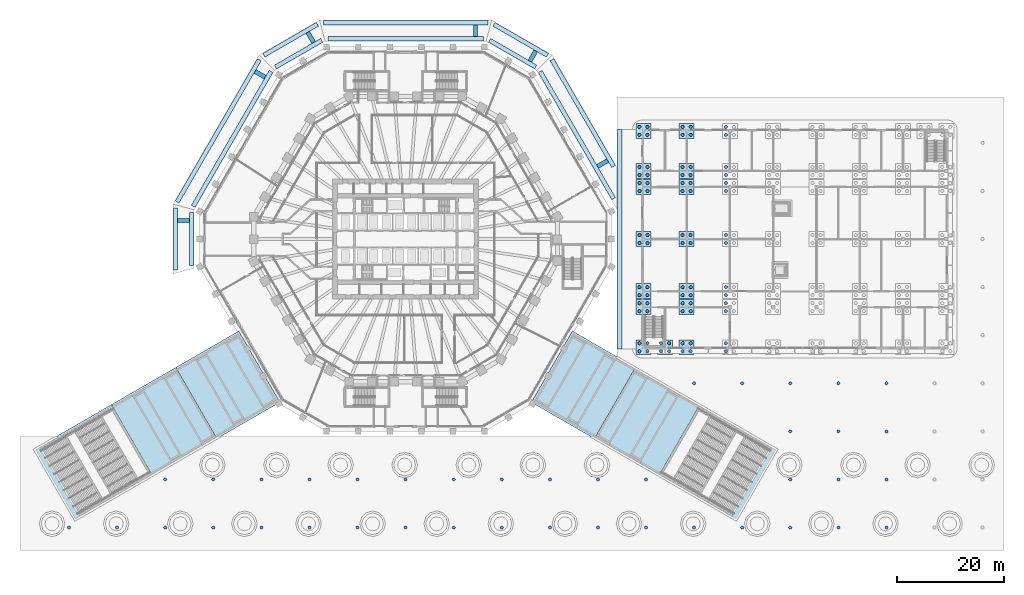
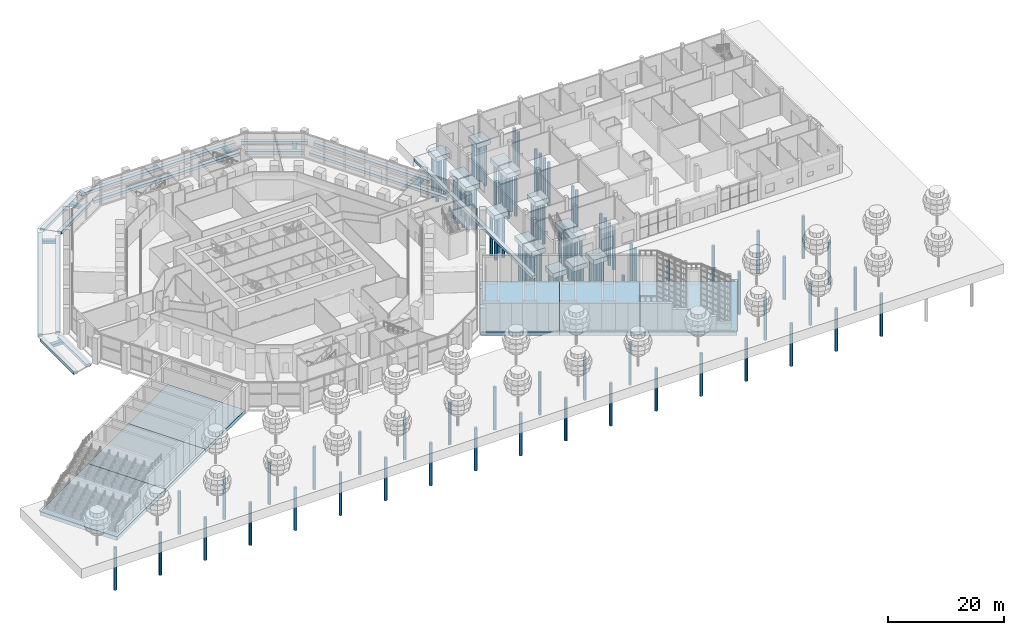
# One storey, part 1 of 44: 114 piles, 40 footings.
"""IFC4 building model written with IfcOpenShell, lengths in metres."""

from ifc_helpers import new_model, si_unit, direction, frame, origin, origin_2d, place, context, subcontext, project, spatial, rectangle, circle, extrude, material, material_profile, profile_set, type_object, element, save


model = new_model("IFC4")

# Units and contexts
model_context = context("Model", 3, precision=1e-05, world=origin(), true_north=direction((0.0, 1.0)))
body_context = subcontext(model_context, "Body", "Model", "MODEL_VIEW")
ifc_project = project(units=[si_unit("LENGTHUNIT", "METRE"), si_unit("AREAUNIT", "SQUARE_METRE"), si_unit("VOLUMEUNIT", "CUBIC_METRE"), si_unit("PLANEANGLEUNIT", "RADIAN"), si_unit("MASSUNIT", "GRAM", prefix="KILO")], contexts=[model_context])

# Site, building, storey
site_placement = place(None, origin())
site = spatial("IfcSite", under=ifc_project, at=site_placement, CompositionType="ELEMENT")
building_placement = place(site_placement, origin())
building = spatial("IfcBuilding", under=site, at=building_placement, Name="Frailejon Research Tower", CompositionType="ELEMENT")
storey_placement = place(building_placement, origin())
storey = spatial("IfcBuildingStorey", under=building, at=storey_placement, Name="L00", CompositionType="ELEMENT", Elevation=0.0)

# Piles
ifc_material_1 = material(Name="Concrete C35/45", Category="concrete")
ifc_material_profile = material_profile(ifc_material_1, circle(Radius=0.300048828125, at=origin_2d()), Name="Bored pile D600")
ifc_profile_set = profile_set([ifc_material_profile], Name="Concrete C35/45")
pile_type = type_object("IfcPileType", Name="Bored pile D600", PredefinedType="BORED", material=ifc_profile_set)
for number, where, z_axis, x_axis, name in (
    (1, (43.75, -21.0, -1.10009765625), (0.0, 0.0, -1.0), (1.0, 0.0, 0.0), "HC pile A1"),
    (2, (43.75, -19.5, -1.10009765625), (0.0, 0.0, -1.0), (1.0, 0.0, 0.0), "HC pile A1"),
    (3, (45.25, -21.0, -1.10009765625), (0.0, 0.0, -1.0), (1.0, 0.0, 0.0), "HC pile A1"),
    (4, (45.25, -19.5, -1.10009765625), (0.0, 0.0, -1.0), (1.0, 0.0, 0.0), "HC pile A1"),
    (5, (51.85009765625, -21.0, -1.10009765625), (0.0, 0.0, -1.0), (1.0, 0.0, 0.0), "HC pile A2"),
    (6, (51.85009765625, -19.5, -1.10009765625), (0.0, 0.0, -1.0), (1.0, 0.0, 0.0), "HC pile A2"),
    (7, (53.35009765625, -21.0, -1.10009765625), (0.0, 0.0, -1.0), (1.0, 0.0, 0.0), "HC pile A2"),
    (8, (53.35009765625, -19.5, -1.10009765625), (0.0, 0.0, -1.0), (1.0, 0.0, 0.0), "HC pile A2"),
    (9, (59.949951171875, -21.0, -1.10009765625), (0.0, 0.0, -1.0), (1.0, 0.0, 0.0), "HC pile A3"),
    (10, (59.949951171875, -19.5, -1.10009765625), (0.0, 0.0, -1.0), (1.0, 0.0, 0.0), "HC pile A3"),
    (11, (43.75, -13.5, -1.10009765625), (0.0, 0.0, -1.0), (1.0, 0.0, 0.0), "HC pile B1"),
    (12, (43.75, -12.0, -1.10009765625), (0.0, 0.0, -1.0), (1.0, 0.0, 0.0), "HC pile B1"),
    (13, (45.25, -13.5, -1.10009765625), (0.0, 0.0, -1.0), (1.0, 0.0, 0.0), "HC pile B1"),
    (14, (45.25, -12.0, -1.10009765625), (0.0, 0.0, -1.0), (1.0, 0.0, 0.0), "HC pile B1"),
    (15, (51.85009765625, -13.5, -1.10009765625), (0.0, 0.0, -1.0), (1.0, 0.0, 0.0), "HC pile B2"),
    (16, (51.85009765625, -12.0, -1.10009765625), (0.0, 0.0, -1.0), (1.0, 0.0, 0.0), "HC pile B2"),
    (17, (53.35009765625, -13.5, -1.10009765625), (0.0, 0.0, -1.0), (1.0, 0.0, 0.0), "HC pile B2"),
    (18, (53.35009765625, -12.0, -1.10009765625), (0.0, 0.0, -1.0), (1.0, 0.0, 0.0), "HC pile B2"),
    (19, (59.949951171875, -13.5, -1.10009765625), (0.0, 0.0, -1.0), (1.0, 0.0, 0.0), "HC pile B3"),
    (20, (59.949951171875, -12.0, -1.10009765625), (0.0, 0.0, -1.0), (1.0, 0.0, 0.0), "HC pile B3"),
    (21, (43.75, -10.5, -1.10009765625), (0.0, 0.0, -1.0), (1.0, 0.0, 0.0), "HC pile C1"),
    (22, (43.75, -9.0, -1.10009765625), (0.0, 0.0, -1.0), (1.0, 0.0, 0.0), "HC pile C1"),
    (23, (45.25, -10.5, -1.10009765625), (0.0, 0.0, -1.0), (1.0, 0.0, 0.0), "HC pile C1"),
    (24, (45.25, -9.0, -1.10009765625), (0.0, 0.0, -1.0), (1.0, 0.0, 0.0), "HC pile C1"),
    (25, (51.85009765625, -10.5, -1.10009765625), (0.0, 0.0, -1.0), (1.0, 0.0, 0.0), "HC pile C2"),
    (26, (51.85009765625, -9.0, -1.10009765625), (0.0, 0.0, -1.0), (1.0, 0.0, 0.0), "HC pile C2"),
    (27, (53.35009765625, -10.5, -1.10009765625), (0.0, 0.0, -1.0), (1.0, 0.0, 0.0), "HC pile C2"),
    (28, (53.35009765625, -9.0, -1.10009765625), (0.0, 0.0, -1.0), (1.0, 0.0, 0.0), "HC pile C2"),
    (29, (59.949951171875, -10.5, -1.10009765625), (0.0, 0.0, -1.0), (1.0, 0.0, 0.0), "HC pile C3"),
    (30, (59.949951171875, -9.0, -1.10009765625), (0.0, 0.0, -1.0), (1.0, 0.0, 0.0), "HC pile C3"),
    (31, (43.75, -0.75, -1.10009765625), (0.0, 0.0, -1.0), (1.0, 0.0, 0.0), "HC pile D1"),
    (32, (43.75, 0.75, -1.10009765625), (0.0, 0.0, -1.0), (1.0, 0.0, 0.0), "HC pile D1"),
    (33, (45.25, -0.75, -1.10009765625), (0.0, 0.0, -1.0), (1.0, 0.0, 0.0), "HC pile D1"),
    (34, (45.25, 0.75, -1.10009765625), (0.0, 0.0, -1.0), (1.0, 0.0, 0.0), "HC pile D1"),
    (35, (51.85009765625, -0.75, -1.10009765625), (0.0, 0.0, -1.0), (1.0, 0.0, 0.0), "HC pile D2"),
    (36, (51.85009765625, 0.75, -1.10009765625), (0.0, 0.0, -1.0), (1.0, 0.0, 0.0), "HC pile D2"),
    (37, (53.35009765625, -0.75, -1.10009765625), (0.0, 0.0, -1.0), (1.0, 0.0, 0.0), "HC pile D2"),
    (38, (53.35009765625, 0.75, -1.10009765625), (0.0, 0.0, -1.0), (1.0, 0.0, 0.0), "HC pile D2"),
    (39, (59.949951171875, -0.75, -1.10009765625), (0.0, 0.0, -1.0), (1.0, 0.0, 0.0), "HC pile D3"),
    (40, (59.949951171875, 0.75, -1.10009765625), (0.0, 0.0, -1.0), (1.0, 0.0, 0.0), "HC pile D3"),
    (41, (43.75, 9.0, -1.10009765625), (0.0, 0.0, -1.0), (1.0, 0.0, 0.0), "HC pile E1"),
    (42, (43.75, 10.5, -1.10009765625), (0.0, 0.0, -1.0), (1.0, 0.0, 0.0), "HC pile E1"),
    (43, (45.25, 9.0, -1.10009765625), (0.0, 0.0, -1.0), (1.0, 0.0, 0.0), "HC pile E1"),
    (44, (45.25, 10.5, -1.10009765625), (0.0, 0.0, -1.0), (1.0, 0.0, 0.0), "HC pile E1"),
    (45, (51.85009765625, 9.0, -1.10009765625), (0.0, 0.0, -1.0), (1.0, 0.0, 0.0), "HC pile E2"),
    (46, (51.85009765625, 10.5, -1.10009765625), (0.0, 0.0, -1.0), (1.0, 0.0, 0.0), "HC pile E2"),
    (47, (53.35009765625, 9.0, -1.10009765625), (0.0, 0.0, -1.0), (1.0, 0.0, 0.0), "HC pile E2"),
    (48, (53.35009765625, 10.5, -1.10009765625), (0.0, 0.0, -1.0), (1.0, 0.0, 0.0), "HC pile E2"),
    (49, (59.949951171875, 9.0, -1.10009765625), (0.0, 0.0, -1.0), (1.0, 0.0, 0.0), "HC pile E3"),
    (50, (59.949951171875, 10.5, -1.10009765625), (0.0, 0.0, -1.0), (1.0, 0.0, 0.0), "HC pile E3"),
    (51, (43.75, 12.0, -1.10009765625), (0.0, 0.0, -1.0), (1.0, 0.0, 0.0), "HC pile F1"),
    (52, (43.75, 13.5, -1.10009765625), (0.0, 0.0, -1.0), (1.0, 0.0, 0.0), "HC pile F1"),
    (53, (45.25, 12.0, -1.10009765625), (0.0, 0.0, -1.0), (1.0, 0.0, 0.0), "HC pile F1"),
    (54, (45.25, 13.5, -1.10009765625), (0.0, 0.0, -1.0), (1.0, 0.0, 0.0), "HC pile F1"),
    (55, (51.85009765625, 12.0, -1.10009765625), (0.0, 0.0, -1.0), (1.0, 0.0, 0.0), "HC pile F2"),
    (56, (51.85009765625, 13.5, -1.10009765625), (0.0, 0.0, -1.0), (1.0, 0.0, 0.0), "HC pile F2"),
    (57, (53.35009765625, 12.0, -1.10009765625), (0.0, 0.0, -1.0), (1.0, 0.0, 0.0), "HC pile F2"),
    (58, (53.35009765625, 13.5, -1.10009765625), (0.0, 0.0, -1.0), (1.0, 0.0, 0.0), "HC pile F2"),
    (59, (59.949951171875, 12.0, -1.10009765625), (0.0, 0.0, -1.0), (1.0, 0.0, 0.0), "HC pile F3"),
    (60, (59.949951171875, 13.5, -1.10009765625), (0.0, 0.0, -1.0), (1.0, 0.0, 0.0), "HC pile F3"),
    (61, (43.75, 19.5, -1.10009765625), (0.0, 0.0, -1.0), (1.0, 0.0, 0.0), "HC pile G1"),
    (62, (43.75, 21.0, -1.10009765625), (0.0, 0.0, -1.0), (1.0, 0.0, 0.0), "HC pile G1"),
    (63, (45.25, 19.5, -1.10009765625), (0.0, 0.0, -1.0), (1.0, 0.0, 0.0), "HC pile G1"),
    (64, (45.25, 21.0, -1.10009765625), (0.0, 0.0, -1.0), (1.0, 0.0, 0.0), "HC pile G1"),
    (65, (51.85009765625, 19.5, -1.10009765625), (0.0, 0.0, -1.0), (1.0, 0.0, 0.0), "HC pile G2"),
    (66, (51.85009765625, 21.0, -1.10009765625), (0.0, 0.0, -1.0), (1.0, 0.0, 0.0), "HC pile G2"),
    (67, (53.35009765625, 19.5, -1.10009765625), (0.0, 0.0, -1.0), (1.0, 0.0, 0.0), "HC pile G2"),
    (68, (53.35009765625, 21.0, -1.10009765625), (0.0, 0.0, -1.0), (1.0, 0.0, 0.0), "HC pile G2"),
    (69, (59.949951171875, 19.5, -1.10009765625), (0.0, 0.0, -1.0), (1.0, 0.0, 0.0), "HC pile G3"),
    (70, (59.949951171875, 21.0, -1.10009765625), (0.0, 0.0, -1.0), (1.0, 0.0, 0.0), "HC pile G3"),
    (71, (47.800048828125, -21.0, -1.10009765625), (0.0, 0.0, -1.0), (1.0, 0.0, 0.0), "HC pile SA"),
    (72, (47.800048828125, -19.5, -1.10009765625), (0.0, 0.0, -1.0), (1.0, 0.0, 0.0), "HC pile SA"),
    (73, (49.300048828125, -21.0, -1.10009765625), (0.0, 0.0, -1.0), (1.0, 0.0, 0.0), "HC pile SA"),
    (74, (49.300048828125, -19.5, -1.10009765625), (0.0, 0.0, -1.0), (1.0, 0.0, 0.0), "HC pile SA"),
    (75, (-63.0, -54.0, -1.10009765625), (0.0, 0.0, -1.0), (1.0, 0.0, 0.0), "Plaza raft pile"),
    (76, (-54.0, -54.0, -1.10009765625), (0.0, 0.0, -1.0), (1.0, 0.0, 0.0), "Plaza raft pile"),
    (77, (-45.0, -54.0, -1.10009765625), (0.0, 0.0, -1.0), (1.0, 0.0, 0.0), "Plaza raft pile"),
    (78, (-45.0, -45.0, -1.10009765625), (0.0, 0.0, -1.0), (1.0, 0.0, 0.0), "Plaza raft pile"),
    (79, (-36.0, -54.0, -1.10009765625), (0.0, 0.0, -1.0), (1.0, 0.0, 0.0), "Plaza raft pile"),
    (80, (-36.0, -45.0, -1.10009765625), (0.0, 0.0, -1.0), (1.0, 0.0, 0.0), "Plaza raft pile"),
    (81, (-27.0, -54.0, -1.10009765625), (0.0, 0.0, -1.0), (1.0, 0.0, 0.0), "Plaza raft pile"),
    (82, (-27.0, -45.0, -1.10009765625), (0.0, 0.0, -1.0), (1.0, 0.0, 0.0), "Plaza raft pile"),
    (83, (-18.0, -54.0, -1.10009765625), (0.0, 0.0, -1.0), (1.0, 0.0, 0.0), "Plaza raft pile"),
    (84, (-18.0, -45.0, -1.10009765625), (0.0, 0.0, -1.0), (1.0, 0.0, 0.0), "Plaza raft pile"),
    (85, (-9.0, -54.0, -1.10009765625), (0.0, 0.0, -1.0), (1.0, 0.0, 0.0), "Plaza raft pile"),
    (86, (-9.0, -45.0, -1.10009765625), (0.0, 0.0, -1.0), (1.0, 0.0, 0.0), "Plaza raft pile"),
    (87, (0.0, -54.0, -1.10009765625), (0.0, 0.0, -1.0), (1.0, 0.0, 0.0), "Plaza raft pile"),
    (88, (0.0, -45.0, -1.10009765625), (0.0, 0.0, -1.0), (1.0, 0.0, 0.0), "Plaza raft pile"),
    (89, (9.0, -54.0, -1.10009765625), (0.0, 0.0, -1.0), (1.0, 0.0, 0.0), "Plaza raft pile"),
    (90, (9.0, -45.0, -1.10009765625), (0.0, 0.0, -1.0), (1.0, 0.0, 0.0), "Plaza raft pile"),
    (91, (18.0, -54.0, -1.10009765625), (0.0, 0.0, -1.0), (1.0, 0.0, 0.0), "Plaza raft pile"),
    (92, (18.0, -45.0, -1.10009765625), (0.0, 0.0, -1.0), (1.0, 0.0, 0.0), "Plaza raft pile"),
    (93, (27.0, -54.0, -1.10009765625), (0.0, 0.0, -1.0), (1.0, 0.0, 0.0), "Plaza raft pile"),
    (94, (27.0, -45.0, -1.10009765625), (0.0, 0.0, -1.0), (1.0, 0.0, 0.0), "Plaza raft pile"),
    (95, (36.0, -54.0, -1.10009765625), (0.0, 0.0, -1.0), (1.0, 0.0, 0.0), "Plaza raft pile"),
    (96, (36.0, -45.0, -1.10009765625), (0.0, 0.0, -1.0), (1.0, 0.0, 0.0), "Plaza raft pile"),
    (97, (45.0, -54.0, -1.10009765625), (0.0, 0.0, -1.0), (1.0, 0.0, 0.0), "Plaza raft pile"),
    (98, (45.0, -45.0, -1.10009765625), (0.0, 0.0, -1.0), (1.0, 0.0, 0.0), "Plaza raft pile"),
    (99, (54.0, -54.0, -1.10009765625), (0.0, 0.0, -1.0), (1.0, 0.0, 0.0), "Plaza raft pile"),
    (100, (54.0, -27.0, -1.10009765625), (0.0, 0.0, -1.0), (1.0, 0.0, 0.0), "Plaza raft pile"),
    (101, (63.0, -54.0, -1.10009765625), (0.0, 0.0, -1.0), (1.0, 0.0, 0.0), "Plaza raft pile"),
    (102, (63.0, -27.0, -1.10009765625), (0.0, 0.0, -1.0), (1.0, 0.0, 0.0), "Plaza raft pile"),
    (103, (72.0, -54.0, -1.10009765625), (0.0, 0.0, -1.0), (1.0, 0.0, 0.0), "Plaza raft pile"),
    (104, (72.0, -45.0, -1.10009765625), (0.0, 0.0, -1.0), (1.0, 0.0, 0.0), "Plaza raft pile"),
    (105, (72.0, -36.0, -1.10009765625), (0.0, 0.0, -1.0), (1.0, 0.0, 0.0), "Plaza raft pile"),
    (106, (72.0, -27.0, -1.10009765625), (0.0, 0.0, -1.0), (1.0, 0.0, 0.0), "Plaza raft pile"),
    (107, (81.0, -54.0, -1.10009765625), (0.0, 0.0, -1.0), (1.0, 0.0, 0.0), "Plaza raft pile"),
    (108, (81.0, -45.0, -1.10009765625), (0.0, 0.0, -1.0), (1.0, 0.0, 0.0), "Plaza raft pile"),
    (109, (81.0, -36.0, -1.10009765625), (0.0, 0.0, -1.0), (1.0, 0.0, 0.0), "Plaza raft pile"),
    (110, (81.0, -27.0, -1.10009765625), (0.0, 0.0, -1.0), (1.0, 0.0, 0.0), "Plaza raft pile"),
    (111, (90.0, -54.0, -1.10009765625), (0.0, 0.0, -1.0), (1.0, 0.0, 0.0), "Plaza raft pile"),
    (112, (90.0, -45.0, -1.10009765625), (0.0, 0.0, -1.0), (1.0, 0.0, 0.0), "Plaza raft pile"),
    (113, (90.0, -36.0, -1.10009765625), (0.0, 0.0, -1.0), (1.0, 0.0, 0.0), "Plaza raft pile"),
    (114, (90.0, -27.0, -1.10009765625), (0.0, 0.0, -1.0), (1.0, 0.0, 0.0), "Plaza raft pile"),
):
    element("IfcPile", number, at=place(storey_placement, frame(where, z_axis=z_axis, x_axis=x_axis)), inside=storey, type_object=pile_type, Name=name, PredefinedType="BORED", context=body_context, shape_type="SweptSolid", body=[
        extrude(circle(Radius=0.300048828125, at=origin_2d()), origin(), (0.0, 0.0, 1.0), 9.0),
    ])

# Footings
ifc_material_2 = material(Name="Concrete C35/45", Category="concrete")
footing_type_1 = type_object("IfcFootingType", Name="Court edge strip footing", PredefinedType="STRIP_FOOTING", material=ifc_material_2)
footing_1_placement = place(storey_placement, frame((40.069091796875, 0.0, -0.85009765625), z_axis=(0.0, 0.0, 1.0), x_axis=(1.0, 0.0, 0.0)))
element("IfcFooting", 115, at=footing_1_placement, inside=storey, type_object=footing_type_1, Name="Movement joint court edge footing", PredefinedType="STRIP_FOOTING", context=body_context, shape_type="SweptSolid", body=[
    extrude(rectangle(XDim=0.800048828125, YDim=41.10009765625, at=origin_2d()), origin(), (0.0, 0.0, 1.0), 0.60009765625),
])
ifc_material_3 = material(Name="Concrete C35/45", Category="concrete")
footing_type_2 = type_object("IfcFootingType", Name="HC pile cap 2800x2800x1000", PredefinedType="PILE_CAP", material=ifc_material_3)
for number, where, z_axis, x_axis, name in (
    (116, (44.5, -20.25, -1.25), (0.0, 0.0, 1.0), (1.0, 0.0, 0.0), "HC pile cap A1"),
    (117, (52.60009765625, -20.25, -1.25), (0.0, 0.0, 1.0), (1.0, 0.0, 0.0), "HC pile cap A2"),
    (118, (44.5, -12.75, -1.25), (0.0, 0.0, 1.0), (1.0, 0.0, 0.0), "HC pile cap B1"),
    (119, (52.60009765625, -12.75, -1.25), (0.0, 0.0, 1.0), (1.0, 0.0, 0.0), "HC pile cap B2"),
    (120, (44.5, -9.75, -1.25), (0.0, 0.0, 1.0), (1.0, 0.0, 0.0), "HC pile cap C1"),
    (121, (52.60009765625, -9.75, -1.25), (0.0, 0.0, 1.0), (1.0, 0.0, 0.0), "HC pile cap C2"),
    (122, (44.5, 0.0, -1.25), (0.0, 0.0, 1.0), (1.0, 0.0, 0.0), "HC pile cap D1"),
    (123, (52.60009765625, 0.0, -1.25), (0.0, 0.0, 1.0), (1.0, 0.0, 0.0), "HC pile cap D2"),
    (124, (44.5, 9.75, -1.25), (0.0, 0.0, 1.0), (1.0, 0.0, 0.0), "HC pile cap E1"),
    (125, (52.60009765625, 9.75, -1.25), (0.0, 0.0, 1.0), (1.0, 0.0, 0.0), "HC pile cap E2"),
    (126, (44.5, 12.75, -1.25), (0.0, 0.0, 1.0), (1.0, 0.0, 0.0), "HC pile cap F1"),
    (127, (52.60009765625, 12.75, -1.25), (0.0, 0.0, 1.0), (1.0, 0.0, 0.0), "HC pile cap F2"),
    (128, (44.5, 20.25, -1.25), (0.0, 0.0, 1.0), (1.0, 0.0, 0.0), "HC pile cap G1"),
    (129, (52.60009765625, 20.25, -1.25), (0.0, 0.0, 1.0), (1.0, 0.0, 0.0), "HC pile cap G2"),
    (130, (48.550048828125, -20.25, -1.25), (0.0, 0.0, 1.0), (1.0, 0.0, 0.0), "HC stair pile cap SA"),
):
    element("IfcFooting", number, at=place(storey_placement, frame(where, z_axis=z_axis, x_axis=x_axis)), inside=storey, type_object=footing_type_2, Name=name, PredefinedType="PILE_CAP", context=body_context, shape_type="SweptSolid", body=[
        extrude(rectangle(XDim=2.800048828125, YDim=2.800048828125, at=origin_2d()), origin(), (0.0, 0.0, 1.0), 1.0),
    ])
ifc_material_4 = material(Name="Concrete C35/45", Category="concrete")
footing_type_3 = type_object("IfcFootingType", Name="Plaza walk strip footing", PredefinedType="STRIP_FOOTING", material=ifc_material_4)
footing_2_placement = place(storey_placement, frame((32.055419921875, 19.478271484375, -0.85009765625), z_axis=(0.0, 0.0, 1.0), x_axis=(0.866025403784, 0.5, 0.0)))
element("IfcFooting", 131, at=footing_2_placement, inside=storey, type_object=footing_type_3, Name="Plaza walk footing", PredefinedType="STRIP_FOOTING", context=body_context, shape_type="SweptSolid", body=[
    extrude(rectangle(XDim=0.800048828125, YDim=27.4697265625, at=origin_2d()), origin(), (0.0, 0.0, 1.0), 0.60009765625),
])
footing_3_placement = place(storey_placement, frame((33.153564453125, 23.576416015625, -0.85009765625), z_axis=(0.0, 0.0, 1.0), x_axis=(0.866025403784, 0.5, 0.0)))
element("IfcFooting", 132, at=footing_3_placement, inside=storey, type_object=footing_type_3, Name="Plaza walk footing", PredefinedType="STRIP_FOOTING", context=body_context, shape_type="SweptSolid", body=[
    extrude(rectangle(XDim=0.800048828125, YDim=23.077392578125, at=origin_2d()), origin(), (0.0, 0.0, 1.0), 0.60009765625),
])
footing_4_placement = place(storey_placement, frame((36.873779296875, 14.132568359375, -0.85009765625), z_axis=(0.0, 0.0, 1.0), x_axis=(0.5, -0.866025403784, 0.0)))
element("IfcFooting", 133, at=footing_4_placement, inside=storey, type_object=footing_type_3, Name="Plaza walk footing", PredefinedType="STRIP_FOOTING", context=body_context, shape_type="SweptSolid", body=[
    extrude(rectangle(XDim=0.800048828125, YDim=2.199951171875, at=origin_2d()), origin(), (0.0, 0.0, 1.0), 0.60009765625),
])
footing_5_placement = place(storey_placement, frame((20.03466796875, 34.700927734375, -0.85009765625), z_axis=(0.0, 0.0, 1.0), x_axis=(0.5, 0.866025403784, 0.0)))
element("IfcFooting", 134, at=footing_5_placement, inside=storey, type_object=footing_type_3, Name="Plaza walk footing", PredefinedType="STRIP_FOOTING", context=body_context, shape_type="SweptSolid", body=[
    extrude(rectangle(XDim=0.800048828125, YDim=9.974853515625, at=origin_2d()), origin(), (0.0, 0.0, 1.0), 0.60009765625),
])
footing_6_placement = place(storey_placement, frame((21.53466796875, 37.299072265625, -0.85009765625), z_axis=(0.0, 0.0, 1.0), x_axis=(0.5, 0.866025403784, 0.0)))
element("IfcFooting", 135, at=footing_6_placement, inside=storey, type_object=footing_type_3, Name="Plaza walk footing", PredefinedType="STRIP_FOOTING", context=body_context, shape_type="SweptSolid", body=[
    extrude(rectangle(XDim=0.800048828125, YDim=11.58251953125, at=origin_2d()), origin(), (0.0, 0.0, 1.0), 0.60009765625),
])
footing_7_placement = place(storey_placement, frame((23.8046875, 34.25634765625, -0.85009765625), z_axis=(0.0, 0.0, 1.0), x_axis=(0.866025403784, -0.5, 0.0)))
element("IfcFooting", 136, at=footing_7_placement, inside=storey, type_object=footing_type_3, Name="Plaza walk footing", PredefinedType="STRIP_FOOTING", context=body_context, shape_type="SweptSolid", body=[
    extrude(rectangle(XDim=0.800048828125, YDim=2.199951171875, at=origin_2d()), origin(), (0.0, 0.0, 1.0), 0.60009765625),
])
footing_8_placement = place(storey_placement, frame((0.0, 37.5, -0.85009765625), z_axis=(0.0, 0.0, 1.0), x_axis=(0.0, 1.0, 0.0)))
element("IfcFooting", 137, at=footing_8_placement, inside=storey, type_object=footing_type_3, Name="Plaza walk footing", PredefinedType="STRIP_FOOTING", context=body_context, shape_type="SweptSolid", body=[
    extrude(rectangle(XDim=0.800048828125, YDim=29.15185546875, at=origin_2d()), origin(), (0.0, 0.0, 1.0), 0.60009765625),
])
footing_9_placement = place(storey_placement, frame((0.0, 40.5, -0.85009765625), z_axis=(0.0, 0.0, 1.0), x_axis=(0.0, 1.0, 0.0)))
element("IfcFooting", 138, at=footing_9_placement, inside=storey, type_object=footing_type_3, Name="Plaza walk footing", PredefinedType="STRIP_FOOTING", context=body_context, shape_type="SweptSolid", body=[
    extrude(rectangle(XDim=0.800048828125, YDim=30.759521484375, at=origin_2d()), origin(), (0.0, 0.0, 1.0), 0.60009765625),
])
footing_10_placement = place(storey_placement, frame((13.075927734375, 39.0, -0.85009765625), z_axis=(0.0, 0.0, 1.0), x_axis=(1.0, 0.0, 0.0)))
element("IfcFooting", 139, at=footing_10_placement, inside=storey, type_object=footing_type_3, Name="Plaza walk footing", PredefinedType="STRIP_FOOTING", context=body_context, shape_type="SweptSolid", body=[
    extrude(rectangle(XDim=0.800048828125, YDim=2.199951171875, at=origin_2d()), origin(), (0.0, 0.0, 1.0), 0.60009765625),
])
footing_11_placement = place(storey_placement, frame((-20.03466796875, 34.700927734375, -0.85009765625), z_axis=(0.0, 0.0, 1.0), x_axis=(-0.5, 0.866025403784, 0.0)))
element("IfcFooting", 140, at=footing_11_placement, inside=storey, type_object=footing_type_3, Name="Plaza walk footing", PredefinedType="STRIP_FOOTING", context=body_context, shape_type="SweptSolid", body=[
    extrude(rectangle(XDim=0.800048828125, YDim=9.974853515625, at=origin_2d()), origin(), (0.0, 0.0, 1.0), 0.60009765625),
])
footing_12_placement = place(storey_placement, frame((-21.53466796875, 37.299072265625, -0.85009765625), z_axis=(0.0, 0.0, 1.0), x_axis=(-0.5, 0.866025403784, 0.0)))
element("IfcFooting", 141, at=footing_12_placement, inside=storey, type_object=footing_type_3, Name="Plaza walk footing", PredefinedType="STRIP_FOOTING", context=body_context, shape_type="SweptSolid", body=[
    extrude(rectangle(XDim=0.800048828125, YDim=11.58251953125, at=origin_2d()), origin(), (0.0, 0.0, 1.0), 0.60009765625),
])
footing_13_placement = place(storey_placement, frame((-17.764404296875, 37.74365234375, -0.85009765625), z_axis=(0.0, 0.0, 1.0), x_axis=(0.866025403784, 0.5, 0.0)))
element("IfcFooting", 142, at=footing_13_placement, inside=storey, type_object=footing_type_3, Name="Plaza walk footing", PredefinedType="STRIP_FOOTING", context=body_context, shape_type="SweptSolid", body=[
    extrude(rectangle(XDim=0.800048828125, YDim=2.199951171875, at=origin_2d()), origin(), (0.0, 0.0, 1.0), 0.60009765625),
])
footing_14_placement = place(storey_placement, frame((-32.47607421875, 18.75, -0.85009765625), z_axis=(0.0, 0.0, 1.0), x_axis=(-0.866025403784, 0.5, 0.0)))
element("IfcFooting", 143, at=footing_14_placement, inside=storey, type_object=footing_type_3, Name="Plaza walk footing", PredefinedType="STRIP_FOOTING", context=body_context, shape_type="SweptSolid", body=[
    extrude(rectangle(XDim=0.800048828125, YDim=29.15185546875, at=origin_2d()), origin(), (0.0, 0.0, 1.0), 0.60009765625),
])
footing_15_placement = place(storey_placement, frame((-35.073974609375, 20.25, -0.85009765625), z_axis=(0.0, 0.0, 1.0), x_axis=(-0.866025403784, 0.5, 0.0)))
element("IfcFooting", 144, at=footing_15_placement, inside=storey, type_object=footing_type_3, Name="Plaza walk footing", PredefinedType="STRIP_FOOTING", context=body_context, shape_type="SweptSolid", body=[
    extrude(rectangle(XDim=0.800048828125, YDim=30.759521484375, at=origin_2d()), origin(), (0.0, 0.0, 1.0), 0.60009765625),
])
footing_16_placement = place(storey_placement, frame((-27.237060546875, 30.82421875, -0.85009765625), z_axis=(0.0, 0.0, 1.0), x_axis=(0.5, 0.866025403784, 0.0)))
element("IfcFooting", 145, at=footing_16_placement, inside=storey, type_object=footing_type_3, Name="Plaza walk footing", PredefinedType="STRIP_FOOTING", context=body_context, shape_type="SweptSolid", body=[
    extrude(rectangle(XDim=0.800048828125, YDim=2.199951171875, at=origin_2d()), origin(), (0.0, 0.0, 1.0), 0.60009765625),
])
footing_17_placement = place(storey_placement, frame((-40.069091796875, 0.0, -0.85009765625), z_axis=(0.0, 0.0, 1.0), x_axis=(-1.0, 0.0, 0.0)))
element("IfcFooting", 146, at=footing_17_placement, inside=storey, type_object=footing_type_3, Name="Plaza walk footing", PredefinedType="STRIP_FOOTING", context=body_context, shape_type="SweptSolid", body=[
    extrude(rectangle(XDim=0.800048828125, YDim=9.974853515625, at=origin_2d()), origin(), (0.0, 0.0, 1.0), 0.60009765625),
])
footing_18_placement = place(storey_placement, frame((-43.069091796875, 0.0, -0.85009765625), z_axis=(0.0, 0.0, 1.0), x_axis=(-1.0, 0.0, 0.0)))
element("IfcFooting", 147, at=footing_18_placement, inside=storey, type_object=footing_type_3, Name="Plaza walk footing", PredefinedType="STRIP_FOOTING", context=body_context, shape_type="SweptSolid", body=[
    extrude(rectangle(XDim=0.800048828125, YDim=11.58251953125, at=origin_2d()), origin(), (0.0, 0.0, 1.0), 0.60009765625),
])
footing_19_placement = place(storey_placement, frame((-41.569091796875, 3.487548828125, -0.85009765625), z_axis=(0.0, 0.0, 1.0), x_axis=(0.0, 1.0, 0.0)))
element("IfcFooting", 148, at=footing_19_placement, inside=storey, type_object=footing_type_3, Name="Plaza walk footing", PredefinedType="STRIP_FOOTING", context=body_context, shape_type="SweptSolid", body=[
    extrude(rectangle(XDim=0.800048828125, YDim=2.199951171875, at=origin_2d()), origin(), (0.0, 0.0, 1.0), 0.60009765625),
])
ifc_material_5 = material(Name="Concrete C35/45", Category="concrete")
footing_type_4 = type_object("IfcFootingType", Name="Stair strip footing", PredefinedType="STRIP_FOOTING", material=ifc_material_5)
footing_20_placement = place(storey_placement, frame((33.280029296875, -27.297119140625, -1.0), z_axis=(0.0, 0.0, 1.0), x_axis=(0.5, 0.866025403784, 0.0)))
element("IfcFooting", 149, at=footing_20_placement, inside=storey, type_object=footing_type_4, Name="Broad stair E strip footing E3", PredefinedType="STRIP_FOOTING", context=body_context, shape_type="SweptSolid", body=[
    extrude(rectangle(XDim=15.39990234375, YDim=13.639892578125, at=origin_2d()), origin(), (0.0, 0.0, 1.0), 0.75),
])
footing_21_placement = place(storey_placement, frame((45.2138671875, -34.187255859375, -1.0), z_axis=(0.0, 0.0, 1.0), x_axis=(0.5, 0.866025403784, 0.0)))
element("IfcFooting", 150, at=footing_21_placement, inside=storey, type_object=footing_type_4, Name="Broad stair E strip footing E2", PredefinedType="STRIP_FOOTING", context=body_context, shape_type="SweptSolid", body=[
    extrude(rectangle(XDim=15.39990234375, YDim=13.8798828125, at=origin_2d()), origin(), (0.0, 0.0, 1.0), 0.75),
])
footing_22_placement = place(storey_placement, frame((58.489990234375, -41.852294921875, -1.0), z_axis=(0.0, 0.0, 1.0), x_axis=(0.5, 0.866025403784, 0.0)))
element("IfcFooting", 151, at=footing_22_placement, inside=storey, type_object=footing_type_4, Name="Broad stair E strip footing E1", PredefinedType="STRIP_FOOTING", context=body_context, shape_type="SweptSolid", body=[
    extrude(rectangle(XDim=15.39990234375, YDim=16.739990234375, at=origin_2d()), origin(), (0.0, 0.0, 1.0), 0.75),
])
footing_23_placement = place(storey_placement, frame((-33.280029296875, -27.297119140625, -1.0), z_axis=(0.0, 0.0, 1.0), x_axis=(0.5, -0.866025403784, 0.0)))
element("IfcFooting", 152, at=footing_23_placement, inside=storey, type_object=footing_type_4, Name="Broad stair W strip footing W3", PredefinedType="STRIP_FOOTING", context=body_context, shape_type="SweptSolid", body=[
    extrude(rectangle(XDim=15.39990234375, YDim=13.639892578125, at=origin_2d()), origin(), (0.0, 0.0, 1.0), 0.75),
])
footing_24_placement = place(storey_placement, frame((-45.2138671875, -34.187255859375, -1.0), z_axis=(0.0, 0.0, 1.0), x_axis=(0.5, -0.866025403784, 0.0)))
element("IfcFooting", 153, at=footing_24_placement, inside=storey, type_object=footing_type_4, Name="Broad stair W strip footing W2", PredefinedType="STRIP_FOOTING", context=body_context, shape_type="SweptSolid", body=[
    extrude(rectangle(XDim=15.39990234375, YDim=13.8798828125, at=origin_2d()), origin(), (0.0, 0.0, 1.0), 0.75),
])
footing_25_placement = place(storey_placement, frame((-58.489990234375, -41.852294921875, -1.0), z_axis=(0.0, 0.0, 1.0), x_axis=(0.5, -0.866025403784, 0.0)))
element("IfcFooting", 154, at=footing_25_placement, inside=storey, type_object=footing_type_4, Name="Broad stair W strip footing W1", PredefinedType="STRIP_FOOTING", context=body_context, shape_type="SweptSolid", body=[
    extrude(rectangle(XDim=15.39990234375, YDim=16.739990234375, at=origin_2d()), origin(), (0.0, 0.0, 1.0), 0.75),
])

save(model, "model.ifc")
